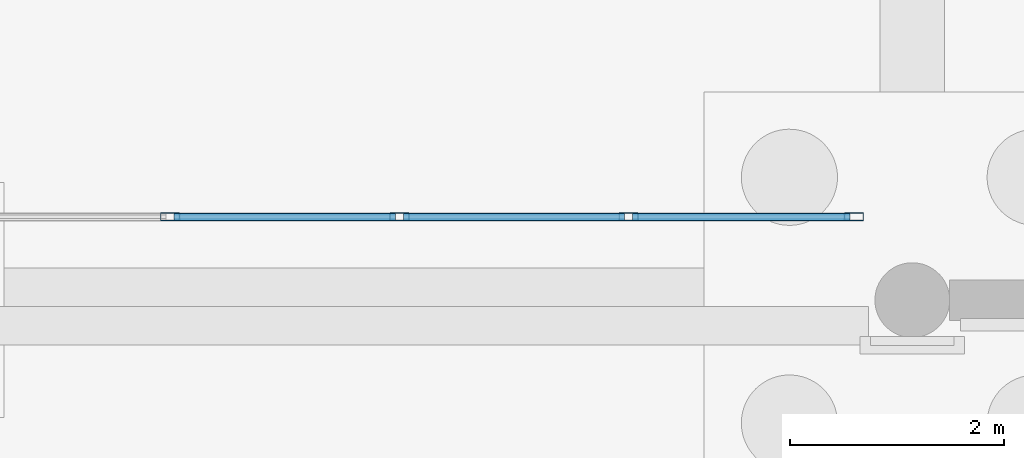
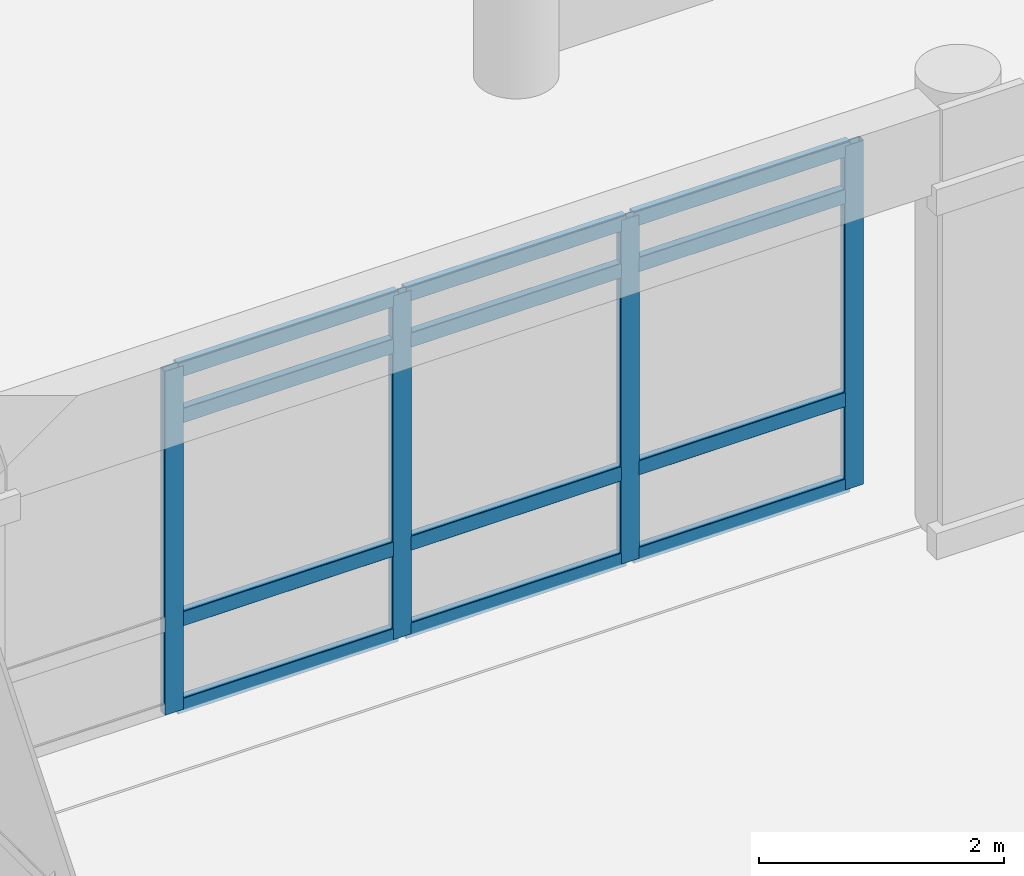
# One storey, part 135 of 196: 16 members, 1 element without a shape of its own.
"""IFC4 building model written with IfcOpenShell, lengths in metres."""

from ifc_helpers import new_model, si_unit, direction, frame, origin, origin_2d, place, context, subcontext, project, spatial, hollow_rectangle, extrude, material, layer, layer_set, material_profile, profile_set, type_object, element, aggregate, save


model = new_model("IFC4")

# Units and contexts
model_context = context("Model", 3, precision=1e-05, world=origin(), true_north=direction((0.0, 1.0)))
body_context = subcontext(model_context, "Body", "Model", "MODEL_VIEW")
ifc_project = project(units=[si_unit("LENGTHUNIT", "METRE"), si_unit("AREAUNIT", "SQUARE_METRE"), si_unit("VOLUMEUNIT", "CUBIC_METRE"), si_unit("PLANEANGLEUNIT", "RADIAN"), si_unit("MASSUNIT", "GRAM", prefix="KILO")], contexts=[model_context])

# Site, building, storey
site_placement = place(None, origin())
site = spatial("IfcSite", under=ifc_project, at=site_placement, CompositionType="ELEMENT")
building_placement = place(site_placement, origin())
building = spatial("IfcBuilding", under=site, at=building_placement, Name="Asteropetra Specialist Clinic", CompositionType="ELEMENT")
storey_placement = place(building_placement, origin())
storey = spatial("IfcBuildingStorey", under=building, at=storey_placement, Name="L00", CompositionType="ELEMENT", Elevation=0.0)

# Curtain wall, members
ifc_material_1 = material(Name="Aluminium and low-E glass", Category="aluminium")
ifc_layer = layer(ifc_material_1, 0.135009765625)
ifc_layer_set = layer_set([ifc_layer], Name="Aluminium and low-E glass")
curtain_wall_type = type_object("IfcCurtainWallType", Name="CW-SYS-09", PredefinedType="USERDEFINED", material=ifc_layer_set)
curtain_wall_placement = place(storey_placement, origin())
curtain_wall = element("IfcCurtainWall", 1, at=curtain_wall_placement, inside=storey, type_object=curtain_wall_type, Name="Curtain Wall CW-210", ObjectType="STICK GLAZED COLONNADE", PredefinedType="USERDEFINED")
ifc_material_2 = material(Name="Aluminium 6063-T6", Category="aluminium")
ifc_material_profile_1 = material_profile(ifc_material_2, hollow_rectangle(XDim=0.074951171875, YDim=0.179931640625, WallThickness=0.00390625, InnerFilletRadius=0.00390625, OuterFilletRadius=0.008056640625, at=origin_2d()), Name="MUL 180x75x4.0")
ifc_profile_set_1 = profile_set([ifc_material_profile_1], Name="Aluminium 6063-T6")
member_type_1 = type_object("IfcMemberType", Name="CWM-180x75", PredefinedType="MULLION", material=ifc_profile_set_1)
member_1_placement = place(storey_placement, frame((127.455078125, 77.580078125, 0.0), z_axis=(0.0, 0.0, 1.0), x_axis=(0.0, 1.0, 0.0)))
member_1 = element("IfcMember", 2, at=member_1_placement, type_object=member_type_1, Name="CW-210 mullion 2", PredefinedType="MULLION", context=body_context, shape_type="SweptSolid", body=[
    extrude(hollow_rectangle(XDim=0.074951171875, YDim=0.179931640625, WallThickness=0.00390625, InnerFilletRadius=0.00390625, OuterFilletRadius=0.008056640625, at=origin_2d()), origin(), (0.0, 0.0, 1.0), 3.419921875),
])
member_2_placement = place(storey_placement, frame((129.60009765625, 77.580078125, 0.0), z_axis=(0.0, 0.0, 1.0), x_axis=(0.0, 1.0, 0.0)))
member_2 = element("IfcMember", 3, at=member_2_placement, type_object=member_type_1, Name="CW-210 mullion 3", PredefinedType="MULLION", context=body_context, shape_type="SweptSolid", body=[
    extrude(hollow_rectangle(XDim=0.074951171875, YDim=0.179931640625, WallThickness=0.00390625, InnerFilletRadius=0.00390625, OuterFilletRadius=0.008056640625, at=origin_2d()), origin(), (0.0, 0.0, 1.0), 3.419921875),
])
member_3_placement = place(storey_placement, frame((131.7451171875, 77.580078125, 0.0), z_axis=(0.0, 0.0, 1.0), x_axis=(0.0, 1.0, 0.0)))
member_3 = element("IfcMember", 4, at=member_3_placement, type_object=member_type_1, Name="CW-210 mullion 4", PredefinedType="MULLION", context=body_context, shape_type="SweptSolid", body=[
    extrude(hollow_rectangle(XDim=0.074951171875, YDim=0.179931640625, WallThickness=0.00390625, InnerFilletRadius=0.00390625, OuterFilletRadius=0.008056640625, at=origin_2d()), origin(), (0.0, 0.0, 1.0), 3.419921875),
])
member_4_placement = place(storey_placement, frame((133.8525390625, 77.580078125, 0.0), z_axis=(0.0, 0.0, 1.0), x_axis=(0.0, 1.0, 0.0)))
member_4 = element("IfcMember", 5, at=member_4_placement, type_object=member_type_1, Name="CW-210 mullion 5", PredefinedType="MULLION", context=body_context, shape_type="SweptSolid", body=[
    extrude(hollow_rectangle(XDim=0.074951171875, YDim=0.179931640625, WallThickness=0.00390625, InnerFilletRadius=0.00390625, OuterFilletRadius=0.008056640625, at=origin_2d()), origin(), (0.0, 0.0, 1.0), 3.419921875),
])
ifc_material_3 = material(Name="Aluminium 6063-T6", Category="aluminium")
ifc_material_profile_2 = material_profile(ifc_material_3, hollow_rectangle(XDim=0.074951171875, YDim=0.14990234375, WallThickness=0.00390625, InnerFilletRadius=0.00390625, OuterFilletRadius=0.008056640625, at=origin_2d()), Name="TRN 150x75x4.0")
ifc_profile_set_2 = profile_set([ifc_material_profile_2], Name="Aluminium 6063-T6")
member_type_2 = type_object("IfcMemberType", Name="CWT-150x75", PredefinedType="USERDEFINED", material=ifc_profile_set_2)
member_5_placement = place(storey_placement, frame((127.492431640625, 77.580078125, 0.03759765625), z_axis=(1.0, 0.0, 0.0), x_axis=(0.0, 1.0, 0.0)))
member_5 = element("IfcMember", 6, at=member_5_placement, type_object=member_type_2, Name="CW-210 transom 2.1", ObjectType="TRANSOM", PredefinedType="USERDEFINED", context=body_context, shape_type="SweptSolid", body=[
    extrude(hollow_rectangle(XDim=0.074951171875, YDim=0.14990234375, WallThickness=0.00390625, InnerFilletRadius=0.00390625, OuterFilletRadius=0.008056640625, at=origin_2d()), origin(), (0.0, 0.0, 1.0), 2.070068359375),
])
member_6_placement = place(storey_placement, frame((127.492431640625, 77.580078125, 0.89990234375), z_axis=(1.0, 0.0, 0.0), x_axis=(0.0, 1.0, 0.0)))
member_6 = element("IfcMember", 7, at=member_6_placement, type_object=member_type_2, Name="CW-210 transom 2.2", ObjectType="TRANSOM", PredefinedType="USERDEFINED", context=body_context, shape_type="SweptSolid", body=[
    extrude(hollow_rectangle(XDim=0.074951171875, YDim=0.14990234375, WallThickness=0.00390625, InnerFilletRadius=0.00390625, OuterFilletRadius=0.008056640625, at=origin_2d()), origin(), (0.0, 0.0, 1.0), 2.070068359375),
])
member_7_placement = place(storey_placement, frame((127.492431640625, 77.580078125, 2.919921875), z_axis=(1.0, 0.0, 0.0), x_axis=(0.0, 1.0, 0.0)))
member_7 = element("IfcMember", 8, at=member_7_placement, type_object=member_type_2, Name="CW-210 transom 2.3", ObjectType="TRANSOM", PredefinedType="USERDEFINED", context=body_context, shape_type="SweptSolid", body=[
    extrude(hollow_rectangle(XDim=0.074951171875, YDim=0.14990234375, WallThickness=0.00390625, InnerFilletRadius=0.00390625, OuterFilletRadius=0.008056640625, at=origin_2d()), origin(), (0.0, 0.0, 1.0), 2.070068359375),
])
member_8_placement = place(storey_placement, frame((127.492431640625, 77.580078125, 3.382568359375), z_axis=(1.0, 0.0, 0.0), x_axis=(0.0, 1.0, 0.0)))
member_8 = element("IfcMember", 9, at=member_8_placement, type_object=member_type_2, Name="CW-210 transom 2.4", ObjectType="TRANSOM", PredefinedType="USERDEFINED", context=body_context, shape_type="SweptSolid", body=[
    extrude(hollow_rectangle(XDim=0.074951171875, YDim=0.14990234375, WallThickness=0.00390625, InnerFilletRadius=0.00390625, OuterFilletRadius=0.008056640625, at=origin_2d()), origin(), (0.0, 0.0, 1.0), 2.070068359375),
])
member_9_placement = place(storey_placement, frame((129.637451171875, 77.580078125, 0.03759765625), z_axis=(1.0, 0.0, 0.0), x_axis=(0.0, 1.0, 0.0)))
member_9 = element("IfcMember", 10, at=member_9_placement, type_object=member_type_2, Name="CW-210 transom 3.1", ObjectType="TRANSOM", PredefinedType="USERDEFINED", context=body_context, shape_type="SweptSolid", body=[
    extrude(hollow_rectangle(XDim=0.074951171875, YDim=0.14990234375, WallThickness=0.00390625, InnerFilletRadius=0.00390625, OuterFilletRadius=0.008056640625, at=origin_2d()), origin(), (0.0, 0.0, 1.0), 2.070068359375),
])
member_10_placement = place(storey_placement, frame((129.637451171875, 77.580078125, 0.89990234375), z_axis=(1.0, 0.0, 0.0), x_axis=(0.0, 1.0, 0.0)))
member_10 = element("IfcMember", 11, at=member_10_placement, type_object=member_type_2, Name="CW-210 transom 3.2", ObjectType="TRANSOM", PredefinedType="USERDEFINED", context=body_context, shape_type="SweptSolid", body=[
    extrude(hollow_rectangle(XDim=0.074951171875, YDim=0.14990234375, WallThickness=0.00390625, InnerFilletRadius=0.00390625, OuterFilletRadius=0.008056640625, at=origin_2d()), origin(), (0.0, 0.0, 1.0), 2.070068359375),
])
member_11_placement = place(storey_placement, frame((129.637451171875, 77.580078125, 2.919921875), z_axis=(1.0, 0.0, 0.0), x_axis=(0.0, 1.0, 0.0)))
member_11 = element("IfcMember", 12, at=member_11_placement, type_object=member_type_2, Name="CW-210 transom 3.3", ObjectType="TRANSOM", PredefinedType="USERDEFINED", context=body_context, shape_type="SweptSolid", body=[
    extrude(hollow_rectangle(XDim=0.074951171875, YDim=0.14990234375, WallThickness=0.00390625, InnerFilletRadius=0.00390625, OuterFilletRadius=0.008056640625, at=origin_2d()), origin(), (0.0, 0.0, 1.0), 2.070068359375),
])
member_12_placement = place(storey_placement, frame((129.637451171875, 77.580078125, 3.382568359375), z_axis=(1.0, 0.0, 0.0), x_axis=(0.0, 1.0, 0.0)))
member_12 = element("IfcMember", 13, at=member_12_placement, type_object=member_type_2, Name="CW-210 transom 3.4", ObjectType="TRANSOM", PredefinedType="USERDEFINED", context=body_context, shape_type="SweptSolid", body=[
    extrude(hollow_rectangle(XDim=0.074951171875, YDim=0.14990234375, WallThickness=0.00390625, InnerFilletRadius=0.00390625, OuterFilletRadius=0.008056640625, at=origin_2d()), origin(), (0.0, 0.0, 1.0), 2.070068359375),
])
member_13_placement = place(storey_placement, frame((131.782470703125, 77.580078125, 0.03759765625), z_axis=(1.0, 0.0, 0.0), x_axis=(0.0, 1.0, 0.0)))
member_13 = element("IfcMember", 14, at=member_13_placement, type_object=member_type_2, Name="CW-210 transom 4.1", ObjectType="TRANSOM", PredefinedType="USERDEFINED", context=body_context, shape_type="SweptSolid", body=[
    extrude(hollow_rectangle(XDim=0.074951171875, YDim=0.14990234375, WallThickness=0.00390625, InnerFilletRadius=0.00390625, OuterFilletRadius=0.008056640625, at=origin_2d()), origin(), (0.0, 0.0, 1.0), 2.032470703125),
])
member_14_placement = place(storey_placement, frame((131.782470703125, 77.580078125, 0.89990234375), z_axis=(1.0, 0.0, 0.0), x_axis=(0.0, 1.0, 0.0)))
member_14 = element("IfcMember", 15, at=member_14_placement, type_object=member_type_2, Name="CW-210 transom 4.2", ObjectType="TRANSOM", PredefinedType="USERDEFINED", context=body_context, shape_type="SweptSolid", body=[
    extrude(hollow_rectangle(XDim=0.074951171875, YDim=0.14990234375, WallThickness=0.00390625, InnerFilletRadius=0.00390625, OuterFilletRadius=0.008056640625, at=origin_2d()), origin(), (0.0, 0.0, 1.0), 2.032470703125),
])
member_15_placement = place(storey_placement, frame((131.782470703125, 77.580078125, 2.919921875), z_axis=(1.0, 0.0, 0.0), x_axis=(0.0, 1.0, 0.0)))
member_15 = element("IfcMember", 16, at=member_15_placement, type_object=member_type_2, Name="CW-210 transom 4.3", ObjectType="TRANSOM", PredefinedType="USERDEFINED", context=body_context, shape_type="SweptSolid", body=[
    extrude(hollow_rectangle(XDim=0.074951171875, YDim=0.14990234375, WallThickness=0.00390625, InnerFilletRadius=0.00390625, OuterFilletRadius=0.008056640625, at=origin_2d()), origin(), (0.0, 0.0, 1.0), 2.032470703125),
])
member_16_placement = place(storey_placement, frame((131.782470703125, 77.580078125, 3.382568359375), z_axis=(1.0, 0.0, 0.0), x_axis=(0.0, 1.0, 0.0)))
member_16 = element("IfcMember", 17, at=member_16_placement, type_object=member_type_2, Name="CW-210 transom 4.4", ObjectType="TRANSOM", PredefinedType="USERDEFINED", context=body_context, shape_type="SweptSolid", body=[
    extrude(hollow_rectangle(XDim=0.074951171875, YDim=0.14990234375, WallThickness=0.00390625, InnerFilletRadius=0.00390625, OuterFilletRadius=0.008056640625, at=origin_2d()), origin(), (0.0, 0.0, 1.0), 2.032470703125),
])
aggregate(curtain_wall, [member_1, member_2, member_3, member_4, member_5, member_6, member_7, member_8, member_9, member_10, member_11, member_12, member_13, member_14, member_15, member_16])

save(model, "model.ifc")
